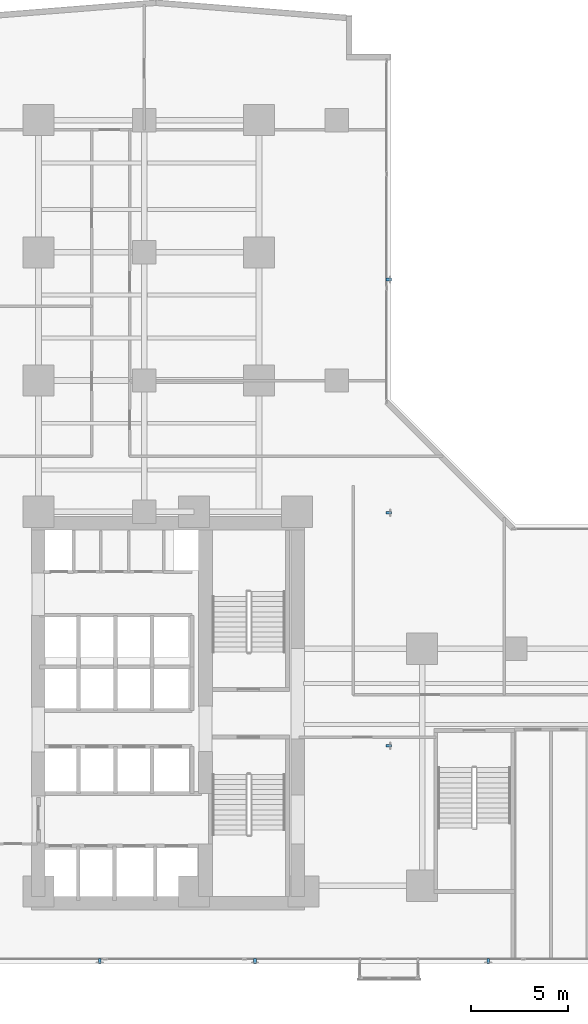
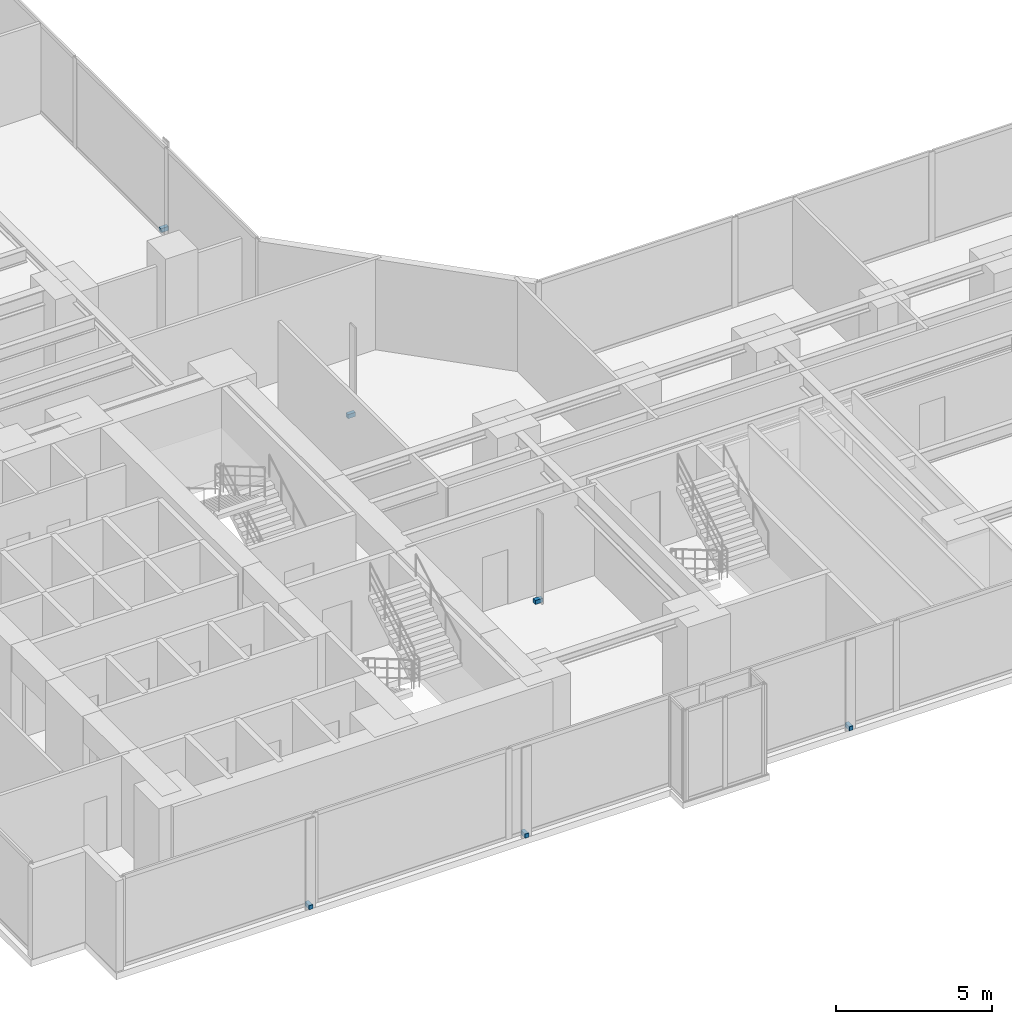
# One storey, part 25 of 28: 6 discrete accessories.
"""IFC4 building model written with IfcOpenShell, lengths in metres."""

import ifcopenshell
import ifcopenshell.guid

model = None  # the IFC model being written
_history = None  # IfcOwnerHistory: only IFC2X3 demands one
_inside = {}  # id of a spatial element -> (the spatial element, [elements in it])
_under = {}  # id of a project, library or spatial element -> (it, [spatial elements below it])
_declared = {}  # id of a project -> (the project, [libraries it declares])
_typed = {}  # id of a type object -> (the type object, [elements of that type])
_made_of = {}  # id of a material, layer set ... -> (it, [elements and type objects made of it])


def new_model(schema):
    """Start an empty IFC model of exactly this schema.

    Asked for "IFC4X3", IfcOpenShell would pick the latest addendum, in which some entities
    have other attributes; the version numbers below select the first issue.
    IFC2X3 requires an IfcOwnerHistory on every rooted entity: one is made here for all.
    """
    global model, _history
    if schema == "IFC4X3":
        model = ifcopenshell.file(schema_version=(4, 3, 0, 0))
    else:
        model = ifcopenshell.file(schema=schema)
    _inside.clear()
    _under.clear()
    _declared.clear()
    _typed.clear()
    _made_of.clear()
    _history = None
    if model.schema == "IFC2X3":
        org = make("IfcOrganization", Name="unknown")
        user = make(
            "IfcPersonAndOrganization",
            ThePerson=make("IfcPerson", FamilyName="unknown"),
            TheOrganization=org,
        )
        app = make(
            "IfcApplication",
            ApplicationDeveloper=org,
            Version="unknown",
            ApplicationFullName="unknown",
            ApplicationIdentifier="unknown",
        )
        _history = make(
            "IfcOwnerHistory",
            OwningUser=user,
            OwningApplication=app,
            ChangeAction="ADDED",
            CreationDate=0,
        )
    return model


def make(cls, **values):
    """One entity of the class cls with the attributes given. An attribute that is None is left unset."""
    return model.create_entity(
        cls, **{name: value for name, value in values.items() if value is not None}
    )


def rooted(cls, **values):
    """An entity with a GlobalId (a new one), such as an element, a storey or a relation."""
    return make(cls, GlobalId=ifcopenshell.guid.new(), OwnerHistory=_history, **values)


def si_unit(unit_type, name, prefix=None):
    """IfcSIUnit, for example si_unit("LENGTHUNIT", "METRE", prefix="MILLI")."""
    return make("IfcSIUnit", UnitType=unit_type, Prefix=prefix, Name=name)


def assignment(units):
    """IfcUnitAssignment: the units of a project."""
    return None if units is None else make("IfcUnitAssignment", Units=units)


def point(xyz):
    """IfcCartesianPoint."""
    return None if xyz is None else make("IfcCartesianPoint", Coordinates=xyz)


def direction(xyz):
    """IfcDirection."""
    return None if xyz is None else make("IfcDirection", DirectionRatios=xyz)


def frame(location, z_axis=None, x_axis=None):
    """IfcAxis2Placement3D, a coordinate frame: its origin and axes. An axis left out is left unset."""
    return make(
        "IfcAxis2Placement3D",
        Location=point(location),
        Axis=direction(z_axis),
        RefDirection=direction(x_axis),
    )


def frame_2d(location, x_axis=None):
    """IfcAxis2Placement2D, a coordinate frame in the plane: its origin and x axis."""
    return make(
        "IfcAxis2Placement2D", Location=point(location), RefDirection=direction(x_axis)
    )


def origin():
    """The frame at (0, 0, 0) with its axes left unset."""
    return frame((0.0, 0.0, 0.0))


def origin_with_axes():
    """The frame at (0, 0, 0) with the z axis (0, 0, 1) and the x axis (1, 0, 0) written out."""
    return frame((0.0, 0.0, 0.0), z_axis=(0.0, 0.0, 1.0), x_axis=(1.0, 0.0, 0.0))


def origin_2d():
    """The frame at (0, 0) in the plane with its x axis left unset."""
    return frame_2d((0.0, 0.0))


def place(relative_to, where):
    """IfcLocalPlacement: puts the frame where relative to a parent placement (None: the world)."""
    return make(
        "IfcLocalPlacement", PlacementRelTo=relative_to, RelativePlacement=where
    )


def context(
    kind, dimensions, precision=None, world=None, true_north=None, identifier=None
):
    """IfcGeometricRepresentationContext, for example the 3D "Model" context."""
    return make(
        "IfcGeometricRepresentationContext",
        ContextIdentifier=identifier,
        ContextType=kind,
        CoordinateSpaceDimension=dimensions,
        Precision=precision,
        WorldCoordinateSystem=world,
        TrueNorth=true_north,
    )


def subcontext(parent, identifier, kind, view, scale=None):
    """IfcGeometricRepresentationSubContext, for example "Body" below "Model"."""
    return make(
        "IfcGeometricRepresentationSubContext",
        ContextIdentifier=identifier,
        ContextType=kind,
        ParentContext=parent,
        TargetScale=scale,
        TargetView=view,
    )


def project(units=None, contexts=None):
    """IfcProject with its units and contexts."""
    return rooted(
        "IfcProject",
        Name="project",
        RepresentationContexts=contexts,
        UnitsInContext=assignment(units),
    )


def spatial(cls, under=None, at=None, **own):
    """A site, building, storey or space (cls), placed at a placement, below another one or the project."""
    s = rooted(cls, ObjectPlacement=at, **own)
    if under is not None:
        _under.setdefault(under.id(), (under, []))[1].append(s)
    return s


def profile(cls, at=None, kind="AREA", **sizes):
    """A parametric profile (cls). Its sizes go by their IFC names, for example OverallWidth=200.0."""
    return make(cls, ProfileType=kind, Position=at, **sizes)


def rectangle(**sizes):
    """IfcRectangleProfileDef."""
    return profile("IfcRectangleProfileDef", **sizes)


def extrude(swept, where, along, depth):
    """IfcExtrudedAreaSolid: the profile swept, set in the frame where, extruded along a direction by depth."""
    return make(
        "IfcExtrudedAreaSolid",
        SweptArea=swept,
        Position=where,
        ExtrudedDirection=direction(along),
        Depth=depth,
    )


def shape(context_of_items, identifier, shape_type, items):
    """IfcShapeRepresentation: the items that make up one representation, for example the "Body"."""
    return make(
        "IfcShapeRepresentation",
        ContextOfItems=context_of_items,
        RepresentationIdentifier=identifier,
        RepresentationType=shape_type,
        Items=items,
    )


def source(mapping_origin, context_of_items, identifier, shape_type, items):
    """IfcRepresentationMap: a shape defined once, which mapped items show again and again."""
    return make(
        "IfcRepresentationMap",
        MappingOrigin=mapping_origin,
        MappedRepresentation=shape(context_of_items, identifier, shape_type, items),
    )


def transform(
    local_origin,
    x_axis=None,
    y_axis=None,
    z_axis=None,
    scale=None,
    scale2=None,
    scale3=None,
    uniform=True,
):
    """IfcCartesianTransformationOperator3D, or its non-uniform kind. x_axis, y_axis, z_axis: its Axis1, 2, 3."""
    if uniform:
        return make(
            "IfcCartesianTransformationOperator3D",
            Axis1=direction(x_axis),
            Axis2=direction(y_axis),
            LocalOrigin=point(local_origin),
            Scale=scale,
            Axis3=direction(z_axis),
        )
    return make(
        "IfcCartesianTransformationOperator3DnonUniform",
        Axis1=direction(x_axis),
        Axis2=direction(y_axis),
        LocalOrigin=point(local_origin),
        Scale=scale,
        Axis3=direction(z_axis),
        Scale2=scale2,
        Scale3=scale3,
    )


def mapped(mapping_source, mapping_target):
    """IfcMappedItem: shows the shape of a source again, moved by a transform."""
    return make(
        "IfcMappedItem", MappingSource=mapping_source, MappingTarget=mapping_target
    )


def material(Name=None, Category=None):
    """IfcMaterial."""
    return make("IfcMaterial", Name=Name, Category=Category)


def made_of(thing, what):
    """Note that an element or type object is made of a material, layer set ...; save() writes the relation."""
    if what is not None:
        _made_of.setdefault(what.id(), (what, []))[1].append(thing)
    return thing


def type_object(cls, material=None, **own):
    """A type object (cls), such as IfcWallType, which elements share."""
    return made_of(rooted(cls, **own), material)


def element(
    cls,
    number,
    at=None,
    inside=None,
    cuts=None,
    type_object=None,
    material=None,
    context=None,
    identifier="Body",
    shape_type=None,
    held_by="IfcProductDefinitionShape",
    body=None,
    shapes=None,
    **own,
):
    """One element of the class cls, such as IfcWall. Its Tag is "e" and its number.

    at: its placement. inside: the storey or other place that contains it. cuts: it is an
    opening in that element (IfcRelVoidsElement). A single representation is given by context,
    identifier, shape_type and body (its items); several are given by shapes. held_by: the class
    of the entity that holds the representations. save() writes the other relations.
    """
    e = rooted(cls, Tag="e%d" % number, ObjectPlacement=at, **own)
    if body is not None:
        shapes = [shape(context, identifier, shape_type, body)]
    if shapes is not None:
        e.Representation = make(held_by, Representations=shapes)
    if inside is not None:
        _inside.setdefault(inside.id(), (inside, []))[1].append(e)
    if cuts is not None:
        rooted(
            "IfcRelVoidsElement", RelatingBuildingElement=cuts, RelatedOpeningElement=e
        )
    if type_object is not None:
        _typed.setdefault(type_object.id(), (type_object, []))[1].append(e)
    return made_of(e, material)


def aggregate(whole, parts):
    """IfcRelAggregates: a whole, such as a stair, and the parts it consists of."""
    return rooted("IfcRelAggregates", RelatingObject=whole, RelatedObjects=parts)


def save(model, path):
    """Write the relations noted so far, then the file.

    IfcRelAggregates (storeys below a building ...), IfcRelContainedInSpatialStructure (elements
    in a storey), IfcRelDefinesByType, IfcRelAssociatesMaterial and IfcRelDeclares: one each for
    every whole, place, type object, material and project.
    """
    for whole, parts in _under.values():
        aggregate(whole, parts)
    for where, things in _inside.values():
        rooted(
            "IfcRelContainedInSpatialStructure",
            RelatedElements=things,
            RelatingStructure=where,
        )
    for kind, things in _typed.values():
        rooted("IfcRelDefinesByType", RelatedObjects=things, RelatingType=kind)
    for what, things in _made_of.values():
        rooted("IfcRelAssociatesMaterial", RelatedObjects=things, RelatingMaterial=what)
    for by, libraries in _declared.values():
        rooted("IfcRelDeclares", RelatingContext=by, RelatedDefinitions=libraries)
    model.write(path)


model = new_model("IFC4")

# Units and contexts
model_context = context("Model", 3, precision=1e-05, world=origin(), true_north=direction((0.0, 1.0)))
body_context = subcontext(model_context, "Body", "Model", "MODEL_VIEW")
ifc_project = project(units=[si_unit("LENGTHUNIT", "METRE"), si_unit("AREAUNIT", "SQUARE_METRE"), si_unit("VOLUMEUNIT", "CUBIC_METRE"), si_unit("PLANEANGLEUNIT", "RADIAN"), si_unit("MASSUNIT", "GRAM", prefix="KILO")], contexts=[model_context])

# Site, building, storey
site_placement = place(None, origin())
site = spatial("IfcSite", under=ifc_project, at=site_placement, CompositionType="ELEMENT")
building_placement = place(site_placement, origin())
building = spatial("IfcBuilding", under=site, at=building_placement, Name="Kolvaren Waterfront Exchange", CompositionType="ELEMENT")
storey_placement = place(building_placement, frame((0.0, 0.0, 75.199951171875)))
storey = spatial("IfcBuildingStorey", under=building, at=storey_placement, Name="L19", CompositionType="ELEMENT", Elevation=75.199951171875)

# Discrete accessories
ifc_material = material(Name="Stainless steel 316", Category="steel")
discrete_accessory_type = type_object("IfcDiscreteAccessoryType", Name="ARC-BRK-FIN", PredefinedType="BRACKET", material=ifc_material)
shared_shape = source(origin_with_axes(), body_context, "Body", "SweptSolid", [
    extrude(rectangle(XDim=0.280029296875, YDim=0.139892578125, at=origin_2d()), origin(), (0.0, 0.0, 1.0), 0.159912109375),
])
for number, where, z_axis, x_axis, name in (
    (1, (10.60009765625, 1.320068359375, 0.0), (0.0, 0.0, 1.0), (0.0, -1.0, 0.0), "L19 bronze fin anchor bracket FIN-L19-S1"),
    (2, (18.60009765625, 1.320068359375, 0.0), (0.0, 0.0, 1.0), (0.0, -1.0, 0.0), "L19 bronze fin anchor bracket FIN-L19-S2"),
    (3, (30.60009765625, 1.320068359375, 0.0), (0.0, 0.0, 1.0), (0.0, -1.0, 0.0), "L19 bronze fin anchor bracket FIN-L19-S3"),
    (4, (25.47998046875, 12.39990234375, 0.0), (0.0, 0.0, 1.0), (1.0, 0.0, 0.0), "L19 bronze fin anchor bracket FIN-L19-E1"),
    (5, (25.47998046875, 24.39990234375, 0.0), (0.0, 0.0, 1.0), (1.0, 0.0, 0.0), "L19 bronze fin anchor bracket FIN-L19-E2"),
    (6, (25.47998046875, 36.39990234375, 0.0), (0.0, 0.0, 1.0), (1.0, 0.0, 0.0), "L19 bronze fin anchor bracket FIN-L19-E3"),
):
    element("IfcDiscreteAccessory", number, at=place(storey_placement, frame(where, z_axis=z_axis, x_axis=x_axis)), inside=storey, type_object=discrete_accessory_type, Name=name, PredefinedType="BRACKET", context=body_context, shape_type="MappedRepresentation", body=[
        mapped(shared_shape, transform((0.0, 0.0, 0.0), x_axis=(1.0, 0.0, 0.0), y_axis=(0.0, 1.0, 0.0), z_axis=(0.0, 0.0, 1.0), scale=1.0)),
    ])

save(model, "model.ifc")
